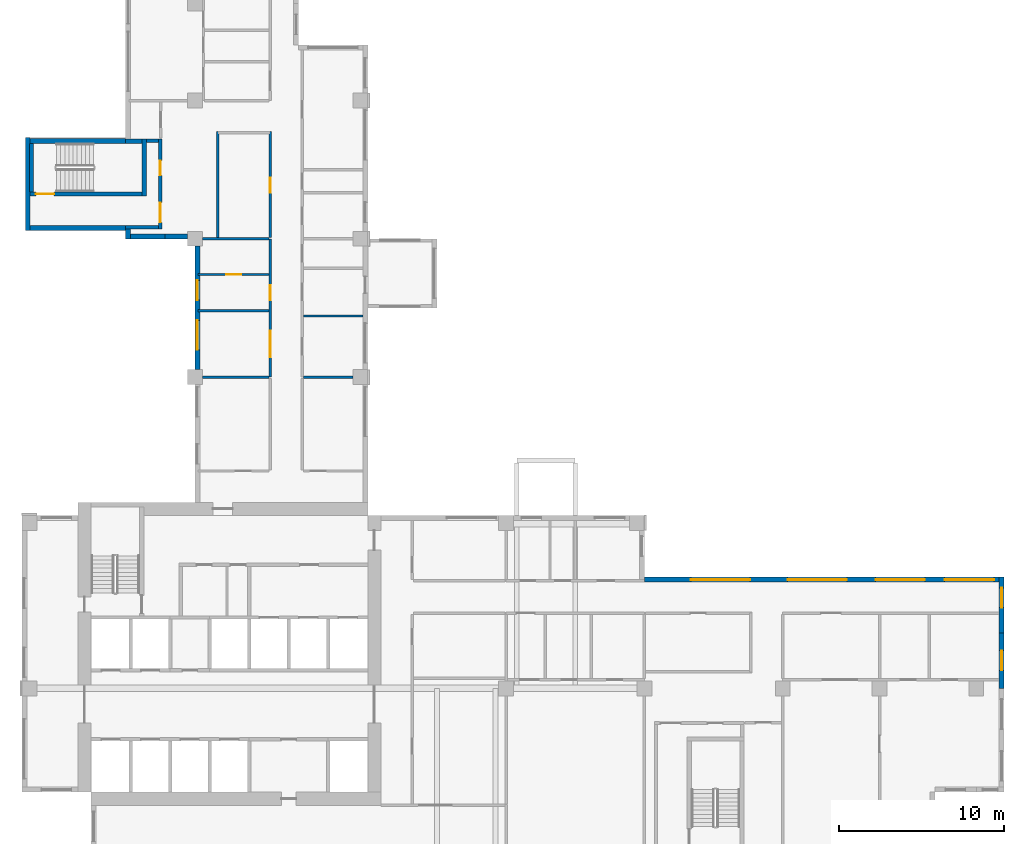
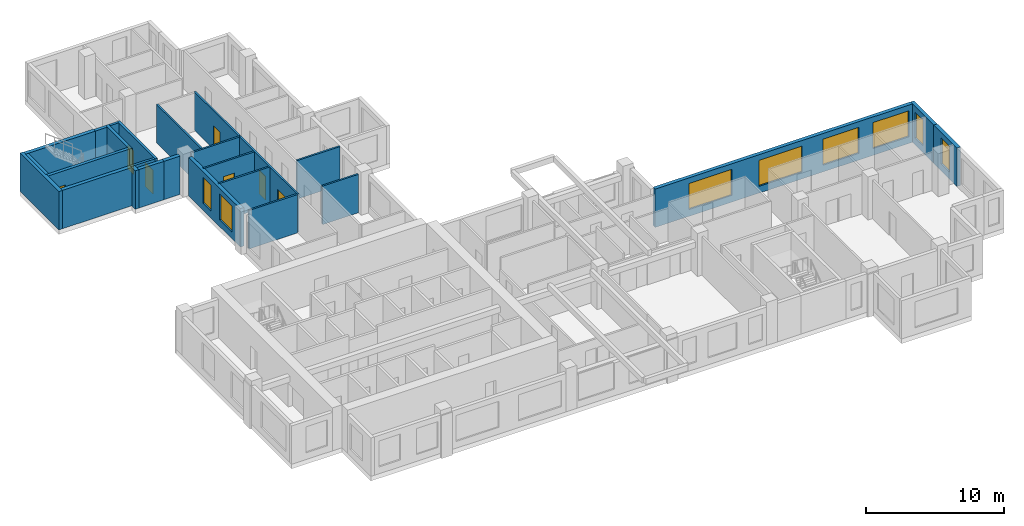
# One storey, part 6 of 12: 26 walls, 8 windows, 7 doors, 15 openings.
"""IFC4 building model written with IfcOpenShell, lengths in metres."""

from ifc_helpers import new_model, si_unit, direction, frame, frame_2d, origin, place, context, subcontext, project, spatial, rectangle, extrude, source, transform, mapped, material, layer, layer_set, type_object, element, fill, save


model = new_model("IFC4")

# Units and contexts
model_context = context("Model", 3, precision=1e-05, world=origin(), true_north=direction((0.0, 1.0)))
body_context = subcontext(model_context, "Body", "Model", "MODEL_VIEW")
ifc_project = project(units=[si_unit("LENGTHUNIT", "METRE"), si_unit("AREAUNIT", "SQUARE_METRE"), si_unit("VOLUMEUNIT", "CUBIC_METRE"), si_unit("PLANEANGLEUNIT", "RADIAN"), si_unit("MASSUNIT", "GRAM", prefix="KILO")], contexts=[model_context])

# Site, building, storey
site_placement = place(None, origin())
site = spatial("IfcSite", under=ifc_project, at=site_placement, CompositionType="ELEMENT")
building_placement = place(site_placement, origin())
building = spatial("IfcBuilding", under=site, at=building_placement, Name="Aurelian Terraces", CompositionType="ELEMENT")
storey_placement = place(building_placement, frame((0.0, 0.0, 189.2)))
storey = spatial("IfcBuildingStorey", under=building, at=storey_placement, Name="L41", CompositionType="ELEMENT", Elevation=189.2)

# Wall, openings, windows
ifc_material_1 = material(Name="Terracotta rainscreen cladding", Category="masonry")
ifc_layer_1 = layer(ifc_material_1, 0.3)
ifc_layer_set_1 = layer_set([ifc_layer_1], Name="EW-300")
wall_type_1 = type_object("IfcWallType", Name="EW-300", PredefinedType="STANDARD", material=ifc_layer_set_1)
shared_shape_1 = source(origin(), body_context, "Body", "SweptSolid", [
    extrude(rectangle(XDim=7.5, YDim=0.3, at=frame_2d((3.75, 0.0))), origin(), (0.0, 0.0, 1.0), 3.4),
])
wall_1_placement = place(storey_placement, frame((10.65, 37.35, 0.0), z_axis=(0.0, 0.0, 1.0), x_axis=(0.0, -1.0, 0.0)))
wall_1 = element("IfcWall", 1, at=wall_1_placement, inside=storey, type_object=wall_type_1, Name="External wall L41 F18.32", PredefinedType="STANDARD", context=body_context, shape_type="MappedRepresentation", body=[
    mapped(shared_shape_1, transform((0.0, 0.0, 0.0), scale=1.0)),
])
shared_shape_2 = source(origin(), body_context, "Body", "SweptSolid", [
    extrude(rectangle(XDim=1.8, YDim=2.3, at=frame_2d((0.9, 1.15))), frame((0.0, 0.16, 0.0), z_axis=(0.0, -1.0, 0.0), x_axis=(1.0, 0.0, 0.0)), (0.0, 0.0, 1.0), 0.32),
])
opening_1_placement = place(wall_1_placement, frame((4.5, 0.0, 0.6)))
opening_1 = element("IfcOpeningElement", 2, at=opening_1_placement, cuts=wall_1, Name="Opening W1823", PredefinedType="OPENING", context=body_context, shape_type="MappedRepresentation", body=[
    mapped(shared_shape_2, transform((0.0, 0.0, 0.0), scale=1.0)),
])
shared_shape_3 = source(origin(), body_context, "Body", "SweptSolid", [
    extrude(rectangle(XDim=1.2, YDim=2.3, at=frame_2d((0.6, 1.15))), frame((0.0, 0.16, 0.0), z_axis=(0.0, -1.0, 0.0), x_axis=(1.0, 0.0, 0.0)), (0.0, 0.0, 1.0), 0.32),
])
opening_2_placement = place(wall_1_placement, frame((2.071, 0.0, 0.6)))
opening_2 = element("IfcOpeningElement", 3, at=opening_2_placement, cuts=wall_1, Name="Opening W1223", PredefinedType="OPENING", context=body_context, shape_type="MappedRepresentation", body=[
    mapped(shared_shape_3, transform((0.0, 0.0, 0.0), scale=1.0)),
])
ifc_material_2 = material(Name="Clear glazing", Category="glass")
window_type_1 = type_object("IfcWindowType", Name="W-1200x2300", PartitioningType="SINGLE_PANEL", PredefinedType="WINDOW", material=ifc_material_2)
shared_shape_4 = source(origin(), body_context, "Body", "SweptSolid", [
    extrude(rectangle(XDim=1.2, YDim=2.3, at=frame_2d((0.6, 1.15))), frame((0.0, 0.03, 0.0), z_axis=(0.0, -1.0, 0.0), x_axis=(1.0, 0.0, 0.0)), (0.0, 0.0, 1.0), 0.06),
])
window_1_placement = place(opening_2_placement, origin())
window_1 = element("IfcWindow", 4, at=window_1_placement, inside=storey, type_object=window_type_1, Name="Window L41 L41-F18-32-G0-4", OverallHeight=2.3, OverallWidth=1.2, PartitioningType="SINGLE_PANEL", PredefinedType="WINDOW", context=body_context, shape_type="MappedRepresentation", body=[
    mapped(shared_shape_4, transform((0.0, 0.0, 0.0), scale=1.0)),
])
fill(opening_2, window_1)
window_type_2 = type_object("IfcWindowType", Name="W-1800x2300", PartitioningType="SINGLE_PANEL", PredefinedType="WINDOW", material=ifc_material_2)
shared_shape_5 = source(origin(), body_context, "Body", "SweptSolid", [
    extrude(rectangle(XDim=1.8, YDim=2.3, at=frame_2d((0.9, 1.15))), frame((0.0, 0.03, 0.0), z_axis=(0.0, -1.0, 0.0), x_axis=(1.0, 0.0, 0.0)), (0.0, 0.0, 1.0), 0.06),
])
window_2_placement = place(opening_1_placement, origin())
window_2 = element("IfcWindow", 5, at=window_2_placement, inside=storey, type_object=window_type_2, Name="Window L41 L41-F18-32-1", OverallHeight=2.3, OverallWidth=1.8, PartitioningType="SINGLE_PANEL", PredefinedType="WINDOW", context=body_context, shape_type="MappedRepresentation", body=[
    mapped(shared_shape_5, transform((0.0, 0.0, 0.0), scale=1.0)),
])
fill(opening_1, window_2)

# Walls
ifc_material_3 = material(Name="Concrete fc' 40 MPa", Category="concrete")
ifc_layer_2 = layer(ifc_material_3, 0.3)
ifc_layer_set_2 = layer_set([ifc_layer_2], Name="STAIR BAY WALL 300")
wall_type_2 = type_object("IfcWallType", Name="STAIR BAY WALL 300", PredefinedType="SOLIDWALL", material=ifc_layer_set_2)
shared_shape_6 = source(origin(), body_context, "Body", "SweptSolid", [
    extrude(rectangle(XDim=6.1, YDim=0.3, at=frame_2d((3.05, 0.0))), origin(), (0.0, 0.0, 1.0), 3.4),
])
for number, where, z_axis, x_axis, name in (
    (6, (6.3, 43.75, 0.0), (0.0, 0.0, 1.0), (-1.0, 0.0, 0.0), "Stair bay wall L41 F13.27"),
    (7, (0.2, 38.45, 0.0), (0.0, 0.0, 1.0), (1.0, 0.0, 0.0), "Stair bay wall L41 F15.29"),
):
    element("IfcWall", number, at=place(storey_placement, frame(where, z_axis=z_axis, x_axis=x_axis)), inside=storey, type_object=wall_type_2, Name=name, PredefinedType="SOLIDWALL", context=body_context, shape_type="MappedRepresentation", body=[
        mapped(shared_shape_6, transform((0.0, 0.0, 0.0), scale=1.0)),
    ])

# Wall, opening, window
shared_shape_7 = source(origin(), body_context, "Body", "SweptSolid", [
    extrude(rectangle(XDim=3.375, YDim=0.3, at=frame_2d((1.6875, 0.0))), origin(), (0.0, 0.0, 1.0), 3.4),
])
wall_2_placement = place(storey_placement, frame((59.49, 10.5, 0.0), z_axis=(0.0, 0.0, 1.0), x_axis=(0.0, 1.0, 0.0)))
wall_2 = element("IfcWall", 8, at=wall_2_placement, inside=storey, type_object=wall_type_1, Name="External wall L41 F04.12", PredefinedType="STANDARD", context=body_context, shape_type="MappedRepresentation", body=[
    mapped(shared_shape_7, transform((0.0, 0.0, 0.0), scale=1.0)),
])
opening_3_placement = place(wall_2_placement, frame((1.0875, 0.0, 0.6)))
opening_3 = element("IfcOpeningElement", 9, at=opening_3_placement, cuts=wall_2, Name="Opening W1223", PredefinedType="OPENING", context=body_context, shape_type="MappedRepresentation", body=[
    mapped(shared_shape_3, transform((0.0, 0.0, 0.0), scale=1.0)),
])
window_3_placement = place(opening_3_placement, origin())
window_3 = element("IfcWindow", 10, at=window_3_placement, inside=storey, type_object=window_type_1, Name="Window L41 L41-F04-12-0", OverallHeight=2.3, OverallWidth=1.2, PartitioningType="SINGLE_PANEL", PredefinedType="WINDOW", context=body_context, shape_type="MappedRepresentation", body=[
    mapped(shared_shape_4, transform((0.0, 0.0, 0.0), scale=1.0)),
])
fill(opening_3, window_3)

wall_3_placement = place(storey_placement, frame((59.49, 13.875, 0.0), z_axis=(0.0, 0.0, 1.0), x_axis=(0.0, 1.0, 0.0)))
wall_3 = element("IfcWall", 11, at=wall_3_placement, inside=storey, type_object=wall_type_1, Name="External wall L41 F04.13", PredefinedType="STANDARD", context=body_context, shape_type="MappedRepresentation", body=[
    mapped(shared_shape_7, transform((0.0, 0.0, 0.0), scale=1.0)),
])
opening_4_placement = place(wall_3_placement, frame((1.5312, 0.0, 0.6)))
opening_4 = element("IfcOpeningElement", 12, at=opening_4_placement, cuts=wall_3, Name="Opening W1223", PredefinedType="OPENING", context=body_context, shape_type="MappedRepresentation", body=[
    mapped(shared_shape_3, transform((0.0, 0.0, 0.0), scale=1.0)),
])
window_4_placement = place(opening_4_placement, origin())
window_4 = element("IfcWindow", 13, at=window_4_placement, inside=storey, type_object=window_type_1, Name="Window L41 L41-F04-13-P0", OverallHeight=2.3, OverallWidth=1.2, PartitioningType="SINGLE_PANEL", PredefinedType="WINDOW", context=body_context, shape_type="MappedRepresentation", body=[
    mapped(shared_shape_4, transform((0.0, 0.0, 0.0), scale=1.0)),
])
fill(opening_4, window_4)

# Wall, openings, windows
shared_shape_8 = source(origin(), body_context, "Body", "SweptSolid", [
    extrude(rectangle(XDim=21.84, YDim=0.3, at=frame_2d((10.92, 0.0))), origin(), (0.0, 0.0, 1.0), 3.4),
])
wall_4_placement = place(storey_placement, frame((59.64, 17.1, 0.0), z_axis=(0.0, 0.0, 1.0), x_axis=(-1.0, 0.0, 0.0)))
wall_4 = element("IfcWall", 14, at=wall_4_placement, inside=storey, type_object=wall_type_1, Name="External wall L41 F05.14", PredefinedType="STANDARD", context=body_context, shape_type="MappedRepresentation", body=[
    mapped(shared_shape_8, transform((0.0, 0.0, 0.0), scale=1.0)),
])
shared_shape_9 = source(origin(), body_context, "Body", "SweptSolid", [
    extrude(rectangle(XDim=3.0, YDim=2.3, at=frame_2d((1.5, 1.15))), frame((0.0, 0.16, 0.0), z_axis=(0.0, -1.0, 0.0), x_axis=(1.0, 0.0, 0.0)), (0.0, 0.0, 1.0), 0.32),
])
opening_5_placement = place(wall_4_placement, frame((0.6, 0.0, 0.6)))
opening_5 = element("IfcOpeningElement", 15, at=opening_5_placement, cuts=wall_4, Name="Opening W3023", PredefinedType="OPENING", context=body_context, shape_type="MappedRepresentation", body=[
    mapped(shared_shape_9, transform((0.0, 0.0, 0.0), scale=1.0)),
])
opening_6_placement = place(wall_4_placement, frame((4.8, 0.0, 0.6)))
opening_6 = element("IfcOpeningElement", 16, at=opening_6_placement, cuts=wall_4, Name="Opening W3023", PredefinedType="OPENING", context=body_context, shape_type="MappedRepresentation", body=[
    mapped(shared_shape_9, transform((0.0, 0.0, 0.0), scale=1.0)),
])
shared_shape_10 = source(origin(), body_context, "Body", "SweptSolid", [
    extrude(rectangle(XDim=3.6, YDim=2.3, at=frame_2d((1.8, 1.15))), frame((0.0, 0.16, 0.0), z_axis=(0.0, -1.0, 0.0), x_axis=(1.0, 0.0, 0.0)), (0.0, 0.0, 1.0), 0.32),
])
opening_7_placement = place(wall_4_placement, frame((9.54, 0.0, 0.6)))
opening_7 = element("IfcOpeningElement", 17, at=opening_7_placement, cuts=wall_4, Name="Opening W3623", PredefinedType="OPENING", context=body_context, shape_type="MappedRepresentation", body=[
    mapped(shared_shape_10, transform((0.0, 0.0, 0.0), scale=1.0)),
])
opening_8_placement = place(wall_4_placement, frame((15.42, 0.0, 0.6)))
opening_8 = element("IfcOpeningElement", 18, at=opening_8_placement, cuts=wall_4, Name="Opening W3623", PredefinedType="OPENING", context=body_context, shape_type="MappedRepresentation", body=[
    mapped(shared_shape_10, transform((0.0, 0.0, 0.0), scale=1.0)),
])
window_type_3 = type_object("IfcWindowType", Name="W-3600x2300", PartitioningType="SINGLE_PANEL", PredefinedType="WINDOW", material=ifc_material_2)
shared_shape_11 = source(origin(), body_context, "Body", "SweptSolid", [
    extrude(rectangle(XDim=3.6, YDim=2.3, at=frame_2d((1.8, 1.15))), frame((0.0, 0.03, 0.0), z_axis=(0.0, -1.0, 0.0), x_axis=(1.0, 0.0, 0.0)), (0.0, 0.0, 1.0), 0.06),
])
window_5_placement = place(opening_7_placement, origin())
window_5 = element("IfcWindow", 19, at=window_5_placement, inside=storey, type_object=window_type_3, Name="Window L41 L41-F05-14-2", OverallHeight=2.3, OverallWidth=3.6, PartitioningType="SINGLE_PANEL", PredefinedType="WINDOW", context=body_context, shape_type="MappedRepresentation", body=[
    mapped(shared_shape_11, transform((0.0, 0.0, 0.0), scale=1.0)),
])
fill(opening_7, window_5)
window_6_placement = place(opening_8_placement, origin())
window_6 = element("IfcWindow", 20, at=window_6_placement, inside=storey, type_object=window_type_3, Name="Window L41 L41-F05-14-3", OverallHeight=2.3, OverallWidth=3.6, PartitioningType="SINGLE_PANEL", PredefinedType="WINDOW", context=body_context, shape_type="MappedRepresentation", body=[
    mapped(shared_shape_11, transform((0.0, 0.0, 0.0), scale=1.0)),
])
fill(opening_8, window_6)
window_type_4 = type_object("IfcWindowType", Name="W-3000x2300", PartitioningType="SINGLE_PANEL", PredefinedType="WINDOW", material=ifc_material_2)
shared_shape_12 = source(origin(), body_context, "Body", "SweptSolid", [
    extrude(rectangle(XDim=3.0, YDim=2.3, at=frame_2d((1.5, 1.15))), frame((0.0, 0.03, 0.0), z_axis=(0.0, -1.0, 0.0), x_axis=(1.0, 0.0, 0.0)), (0.0, 0.0, 1.0), 0.06),
])
window_7_placement = place(opening_5_placement, origin())
window_7 = element("IfcWindow", 21, at=window_7_placement, inside=storey, type_object=window_type_4, Name="Window L41 L41-F05-14-0", OverallHeight=2.3, OverallWidth=3.0, PartitioningType="SINGLE_PANEL", PredefinedType="WINDOW", context=body_context, shape_type="MappedRepresentation", body=[
    mapped(shared_shape_12, transform((0.0, 0.0, 0.0), scale=1.0)),
])
fill(opening_5, window_7)
window_8_placement = place(opening_6_placement, origin())
window_8 = element("IfcWindow", 22, at=window_8_placement, inside=storey, type_object=window_type_4, Name="Window L41 L41-F05-14-1", OverallHeight=2.3, OverallWidth=3.0, PartitioningType="SINGLE_PANEL", PredefinedType="WINDOW", context=body_context, shape_type="MappedRepresentation", body=[
    mapped(shared_shape_12, transform((0.0, 0.0, 0.0), scale=1.0)),
])
fill(opening_6, window_8)

# Walls
shared_shape_13 = source(origin(), body_context, "Body", "SweptSolid", [
    extrude(rectangle(XDim=5.65, YDim=0.3, at=frame_2d((2.825, 0.0))), origin(), (0.0, 0.0, 1.0), 3.4),
])
wall_5_placement = place(storey_placement, frame((0.35, 43.95, 0.0), z_axis=(0.0, 0.0, 1.0), x_axis=(0.0, -1.0, 0.0)))
element("IfcWall", 23, at=wall_5_placement, inside=storey, type_object=wall_type_2, Name="Stair bay wall L41 F14.28", PredefinedType="SOLIDWALL", context=body_context, shape_type="MappedRepresentation", body=[
    mapped(shared_shape_13, transform((0.0, 0.0, 0.0), scale=1.0)),
])
shared_shape_14 = source(origin(), body_context, "Body", "SweptSolid", [
    extrude(rectangle(XDim=0.6, YDim=0.3, at=frame_2d((0.3, 0.0))), origin(), (0.0, 0.0, 1.0), 3.4),
])
wall_6_placement = place(storey_placement, frame((6.45, 38.4, 0.0), z_axis=(0.0, 0.0, 1.0), x_axis=(0.0, -1.0, 0.0)))
element("IfcWall", 24, at=wall_6_placement, inside=storey, type_object=wall_type_1, Name="External wall L41 F16.30", PredefinedType="STANDARD", context=body_context, shape_type="MappedRepresentation", body=[
    mapped(shared_shape_14, transform((0.0, 0.0, 0.0), scale=1.0)),
])
shared_shape_15 = source(origin(), body_context, "Body", "SweptSolid", [
    extrude(rectangle(XDim=2.1, YDim=0.3, at=frame_2d((1.05, 0.0))), origin(), (0.0, 0.0, 1.0), 3.4),
])
wall_7_placement = place(storey_placement, frame((6.6, 37.95, 0.0), z_axis=(0.0, 0.0, 1.0), x_axis=(1.0, 0.0, 0.0)))
element("IfcWall", 25, at=wall_7_placement, inside=storey, type_object=wall_type_2, Name="Stair bay wall L41 F17.31", PredefinedType="SOLIDWALL", context=body_context, shape_type="MappedRepresentation", body=[
    mapped(shared_shape_15, transform((0.0, 0.0, 0.0), scale=1.0)),
])
shared_shape_16 = source(origin(), body_context, "Body", "SweptSolid", [
    extrude(rectangle(XDim=1.35, YDim=0.3, at=frame_2d((0.675, 0.0))), origin(), (0.0, 0.0, 1.0), 3.4),
])
wall_8_placement = place(storey_placement, frame((8.7, 37.95, 0.0), z_axis=(0.0, 0.0, 1.0), x_axis=(1.0, 0.0, 0.0)))
element("IfcWall", 26, at=wall_8_placement, inside=storey, type_object=wall_type_1, Name="External wall L41 F17.31", PredefinedType="STANDARD", context=body_context, shape_type="MappedRepresentation", body=[
    mapped(shared_shape_16, transform((0.0, 0.0, 0.0), scale=1.0)),
])

# Wall, opening, door
ifc_layer_3 = layer(ifc_material_3, 0.25)
ifc_layer_set_3 = layer_set([ifc_layer_3], Name="Stair enclosure wall 250")
wall_type_3 = type_object("IfcWallType", Name="Stair enclosure wall 250", PredefinedType="SOLIDWALL", material=ifc_layer_set_3)
shared_shape_17 = source(origin(), body_context, "Body", "SweptSolid", [
    extrude(rectangle(XDim=7.0, YDim=0.25, at=frame_2d((3.5, 0.0))), origin(), (0.0, 0.0, 1.0), 3.4),
])
wall_9_placement = place(storey_placement, frame((0.3, 40.525, 0.0), z_axis=(0.0, 0.0, 1.0), x_axis=(1.0, 0.0, 0.0)))
wall_9 = element("IfcWall", 27, at=wall_9_placement, inside=storey, type_object=wall_type_3, Name="L41 core wall ST-S3-W", PredefinedType="SOLIDWALL", context=body_context, shape_type="MappedRepresentation", body=[
    mapped(shared_shape_17, transform((0.0, 0.0, 0.0), scale=1.0)),
])
shared_shape_18 = source(origin(), body_context, "Body", "SweptSolid", [
    extrude(rectangle(XDim=1.1, YDim=2.1, at=frame_2d((0.55, 1.05))), frame((0.0, 0.135, 0.0), z_axis=(0.0, -1.0, 0.0), x_axis=(1.0, 0.0, 0.0)), (0.0, 0.0, 1.0), 0.27),
])
opening_9_placement = place(wall_9_placement, frame((0.55, 0.0, 0.0)))
opening_9 = element("IfcOpeningElement", 28, at=opening_9_placement, cuts=wall_9, Name="Opening 64418", PredefinedType="OPENING", context=body_context, shape_type="MappedRepresentation", body=[
    mapped(shared_shape_18, transform((0.0, 0.0, 0.0), scale=1.0)),
])
ifc_material_4 = material(Name="Steel door leaf", Category="steel")
door_type_1 = type_object("IfcDoorType", Name="Core fire door 1100x2100", OperationType="SINGLE_SWING_LEFT", PredefinedType="DOOR", material=ifc_material_4)
shared_shape_19 = source(origin(), body_context, "Body", "SweptSolid", [
    extrude(rectangle(XDim=1.1, YDim=2.1, at=frame_2d((0.55, 1.05))), frame((0.0, 0.025, 0.0), z_axis=(0.0, -1.0, 0.0), x_axis=(1.0, 0.0, 0.0)), (0.0, 0.0, 1.0), 0.05),
])
door_1_placement = place(opening_9_placement, origin())
door_1 = element("IfcDoor", 29, at=door_1_placement, inside=storey, type_object=door_type_1, Name="Stair door 64418", OperationType="SINGLE_SWING_LEFT", OverallHeight=2.1, OverallWidth=1.1, PredefinedType="DOOR", context=body_context, shape_type="MappedRepresentation", body=[
    mapped(shared_shape_19, transform((0.0, 0.0, 0.0), scale=1.0)),
])
fill(opening_9, door_1)

# Walls
shared_shape_20 = source(origin(), body_context, "Body", "SweptSolid", [
    extrude(rectangle(XDim=3.45, YDim=0.25, at=frame_2d((1.725, 0.0))), origin(), (0.0, 0.0, 1.0), 3.4),
])
wall_10_placement = place(storey_placement, frame((7.425, 40.4, 0.0), z_axis=(0.0, 0.0, 1.0), x_axis=(0.0, 1.0, 0.0)))
element("IfcWall", 30, at=wall_10_placement, inside=storey, type_object=wall_type_3, Name="L41 core wall ST-S3-N", PredefinedType="SOLIDWALL", context=body_context, shape_type="MappedRepresentation", body=[
    mapped(shared_shape_20, transform((0.0, 0.0, 0.0), scale=1.0)),
])
shared_shape_21 = source(origin(), body_context, "Body", "SweptSolid", [
    extrude(rectangle(XDim=2.95, YDim=0.25, at=frame_2d((1.475, 0.0))), origin(), (0.0, 0.0, 1.0), 3.4),
])
wall_11_placement = place(storey_placement, frame((0.575, 40.65, 0.0), z_axis=(0.0, 0.0, 1.0), x_axis=(0.0, 1.0, 0.0)))
element("IfcWall", 31, at=wall_11_placement, inside=storey, type_object=wall_type_3, Name="L41 core wall ST-S3-SS", PredefinedType="SOLIDWALL", context=body_context, shape_type="MappedRepresentation", body=[
    mapped(shared_shape_21, transform((0.0, 0.0, 0.0), scale=1.0)),
])

# Wall, openings, doors
ifc_material_5 = material(Name="Gypsum board on steel studs", Category="steel")
ifc_layer_4 = layer(ifc_material_5, 0.2)
ifc_layer_set_4 = layer_set([ifc_layer_4], Name="Core partition 200")
wall_type_4 = type_object("IfcWallType", Name="Core partition 200", PredefinedType="PARTITIONING", material=ifc_layer_set_4)
shared_shape_22 = source(origin(), body_context, "Body", "SweptSolid", [
    extrude(rectangle(XDim=5.45, YDim=0.2, at=frame_2d((2.725, 0.0))), origin(), (0.0, 0.0, 1.0), 3.4),
])
wall_12_placement = place(storey_placement, frame((8.4, 38.4, 0.0), z_axis=(0.0, 0.0, 1.0), x_axis=(0.0, 1.0, 0.0)))
wall_12 = element("IfcWall", 32, at=wall_12_placement, inside=storey, type_object=wall_type_4, Name="L41 core wall ST-S3-BN", PredefinedType="PARTITIONING", context=body_context, shape_type="MappedRepresentation", body=[
    mapped(shared_shape_22, transform((0.0, 0.0, 0.0), scale=1.0)),
])
shared_shape_23 = source(origin(), body_context, "Body", "SweptSolid", [
    extrude(rectangle(XDim=1.2, YDim=2.1, at=frame_2d((0.6, 1.05))), frame((0.0, 0.11, 0.0), z_axis=(0.0, -1.0, 0.0), x_axis=(1.0, 0.0, 0.0)), (0.0, 0.0, 1.0), 0.22),
])
opening_10_placement = place(wall_12_placement, frame((0.4, 0.0, 0.0)))
opening_10 = element("IfcOpeningElement", 33, at=opening_10_placement, cuts=wall_12, Name="Opening 64419", PredefinedType="OPENING", context=body_context, shape_type="MappedRepresentation", body=[
    mapped(shared_shape_23, transform((0.0, 0.0, 0.0), scale=1.0)),
])
shared_shape_24 = source(origin(), body_context, "Body", "SweptSolid", [
    extrude(rectangle(XDim=0.9, YDim=2.1, at=frame_2d((0.45, 1.05))), frame((0.0, 0.11, 0.0), z_axis=(0.0, -1.0, 0.0), x_axis=(1.0, 0.0, 0.0)), (0.0, 0.0, 1.0), 0.22),
])
opening_11_placement = place(wall_12_placement, frame((3.25, 0.0, 0.0)))
opening_11 = element("IfcOpeningElement", 34, at=opening_11_placement, cuts=wall_12, Name="Opening 64420", PredefinedType="OPENING", context=body_context, shape_type="MappedRepresentation", body=[
    mapped(shared_shape_24, transform((0.0, 0.0, 0.0), scale=1.0)),
])
door_type_2 = type_object("IfcDoorType", Name="Core riser door 900x2100", OperationType="SINGLE_SWING_LEFT", PredefinedType="DOOR", material=ifc_material_4)
shared_shape_25 = source(origin(), body_context, "Body", "SweptSolid", [
    extrude(rectangle(XDim=0.9, YDim=2.1, at=frame_2d((0.45, 1.05))), frame((0.0, 0.025, 0.0), z_axis=(0.0, -1.0, 0.0), x_axis=(1.0, 0.0, 0.0)), (0.0, 0.0, 1.0), 0.05),
])
door_2_placement = place(opening_11_placement, origin())
door_2 = element("IfcDoor", 35, at=door_2_placement, inside=storey, type_object=door_type_2, Name="Riser door 64420", OperationType="SINGLE_SWING_LEFT", OverallHeight=2.1, OverallWidth=0.9, PredefinedType="DOOR", context=body_context, shape_type="MappedRepresentation", body=[
    mapped(shared_shape_25, transform((0.0, 0.0, 0.0), scale=1.0)),
])
fill(opening_11, door_2)
door_type_3 = type_object("IfcDoorType", Name="Core fire door 1200x2100 right", OperationType="SINGLE_SWING_RIGHT", PredefinedType="DOOR", material=ifc_material_4)
shared_shape_26 = source(origin(), body_context, "Body", "SweptSolid", [
    extrude(rectangle(XDim=1.2, YDim=2.1, at=frame_2d((0.6, 1.05))), frame((0.0, 0.025, 0.0), z_axis=(0.0, -1.0, 0.0), x_axis=(1.0, 0.0, 0.0)), (0.0, 0.0, 1.0), 0.05),
])
door_3_placement = place(opening_10_placement, origin())
door_3 = element("IfcDoor", 36, at=door_3_placement, inside=storey, type_object=door_type_3, Name="Vestibule door 64419", OperationType="SINGLE_SWING_RIGHT", OverallHeight=2.1, OverallWidth=1.2, PredefinedType="DOOR", context=body_context, shape_type="MappedRepresentation", body=[
    mapped(shared_shape_26, transform((0.0, 0.0, 0.0), scale=1.0)),
])
fill(opening_10, door_3)

# Walls
shared_shape_27 = source(origin(), body_context, "Body", "SweptSolid", [
    extrude(rectangle(XDim=0.75, YDim=0.2, at=frame_2d((0.375, 0.0))), origin(), (0.0, 0.0, 1.0), 3.4),
])
wall_13_placement = place(storey_placement, frame((7.55, 43.75, 0.0), z_axis=(0.0, 0.0, 1.0), x_axis=(1.0, 0.0, 0.0)))
element("IfcWall", 37, at=wall_13_placement, inside=storey, type_object=wall_type_4, Name="L41 core wall ST-S3-RE", PredefinedType="PARTITIONING", context=body_context, shape_type="MappedRepresentation", body=[
    mapped(shared_shape_27, transform((0.0, 0.0, 0.0), scale=1.0)),
])
shared_shape_28 = source(origin(), body_context, "Body", "SweptSolid", [
    extrude(rectangle(XDim=1.0, YDim=0.25, at=frame_2d((0.5, 0.0))), origin(), (0.0, 0.0, 1.0), 3.4),
])
wall_14_placement = place(storey_placement, frame((6.3, 43.725, 0.0), z_axis=(0.0, 0.0, 1.0), x_axis=(1.0, 0.0, 0.0)))
element("IfcWall", 38, at=wall_14_placement, inside=storey, type_object=wall_type_3, Name="L41 core wall ST-S3-E", PredefinedType="SOLIDWALL", context=body_context, shape_type="MappedRepresentation", body=[
    mapped(shared_shape_28, transform((0.0, 0.0, 0.0), scale=1.0)),
])
shared_shape_29 = source(origin(), body_context, "Body", "SweptSolid", [
    extrude(rectangle(XDim=2.0, YDim=0.2, at=frame_2d((1.0, 0.0))), origin(), (0.0, 0.0, 1.0), 3.4),
])
wall_15_placement = place(storey_placement, frame((6.3, 38.5, 0.0), z_axis=(0.0, 0.0, 1.0), x_axis=(1.0, 0.0, 0.0)))
element("IfcWall", 39, at=wall_15_placement, inside=storey, type_object=wall_type_4, Name="L41 core wall ST-S3-VW", PredefinedType="PARTITIONING", context=body_context, shape_type="MappedRepresentation", body=[
    mapped(shared_shape_29, transform((0.0, 0.0, 0.0), scale=1.0)),
])
ifc_layer_5 = layer(ifc_material_5, 0.15)
ifc_layer_set_5 = layer_set([ifc_layer_5], Name="Partition 150")
wall_type_5 = type_object("IfcWallType", Name="Partition 150", PredefinedType="PARTITIONING", material=ifc_layer_set_5)
shared_shape_30 = source(origin(), body_context, "Body", "SweptSolid", [
    extrude(rectangle(XDim=6.45, YDim=0.15, at=frame_2d((3.225, 0.0))), origin(), (0.0, 0.0, 1.0), 3.4),
])
wall_16_placement = place(storey_placement, frame((11.9, 44.325, 0.0), z_axis=(0.0, 0.0, 1.0), x_axis=(0.0, -1.0, 0.0)))
element("IfcWall", 40, at=wall_16_placement, inside=storey, type_object=wall_type_5, Name="Partition", PredefinedType="PARTITIONING", context=body_context, shape_type="MappedRepresentation", body=[
    mapped(shared_shape_30, transform((0.0, 0.0, 0.0), scale=1.0)),
])

# Wall, opening, door
ifc_layer_6 = layer(ifc_material_5, 0.15)
ifc_layer_set_6 = layer_set([ifc_layer_6], Name="Fire partition 150")
wall_type_6 = type_object("IfcWallType", Name="Fire partition 150", PredefinedType="PARTITIONING", material=ifc_layer_set_6)
wall_17_placement = place(storey_placement, frame((15.075, 37.875, 0.0), z_axis=(0.0, 0.0, 1.0), x_axis=(0.0, 1.0, 0.0)))
wall_17 = element("IfcWall", 41, at=wall_17_placement, inside=storey, type_object=wall_type_6, Name="Corridor wall", PredefinedType="PARTITIONING", context=body_context, shape_type="MappedRepresentation", body=[
    mapped(shared_shape_30, transform((0.0, 0.0, 0.0), scale=1.0)),
])
shared_shape_31 = source(origin(), body_context, "Body", "SweptSolid", [
    extrude(rectangle(XDim=0.9, YDim=2.1, at=frame_2d((0.45, 1.05))), frame((0.0, 0.085, 0.0), z_axis=(0.0, -1.0, 0.0), x_axis=(1.0, 0.0, 0.0)), (0.0, 0.0, 1.0), 0.17),
])
opening_12_placement = place(wall_17_placement, frame((2.7375, 0.0, 0.0)))
opening_12 = element("IfcOpeningElement", 42, at=opening_12_placement, cuts=wall_17, Name="Opening 741022", PredefinedType="OPENING", context=body_context, shape_type="MappedRepresentation", body=[
    mapped(shared_shape_31, transform((0.0, 0.0, 0.0), scale=1.0)),
])
ifc_material_6 = material(Name="Timber door leaf", Category="wood")
door_type_4 = type_object("IfcDoorType", Name="Room door 900x2100 right", OperationType="SINGLE_SWING_RIGHT", PredefinedType="DOOR", material=ifc_material_6)
door_4_placement = place(opening_12_placement, origin())
door_4 = element("IfcDoor", 43, at=door_4_placement, inside=storey, type_object=door_type_4, Name="Door 741022", OperationType="SINGLE_SWING_RIGHT", OverallHeight=2.1, OverallWidth=0.9, PredefinedType="DOOR", context=body_context, shape_type="MappedRepresentation", body=[
    mapped(shared_shape_25, transform((0.0, 0.0, 0.0), scale=1.0)),
])
fill(opening_12, door_4)

# Wall
shared_shape_32 = source(origin(), body_context, "Body", "SweptSolid", [
    extrude(rectangle(XDim=3.6, YDim=0.15, at=frame_2d((1.8, 0.0))), origin(), (0.0, 0.0, 1.0), 3.4),
])
wall_18_placement = place(storey_placement, frame((17.1, 33.1133, 0.0), z_axis=(0.0, 0.0, 1.0), x_axis=(1.0, 0.0, 0.0)))
element("IfcWall", 44, at=wall_18_placement, inside=storey, type_object=wall_type_5, Name="Partition", PredefinedType="PARTITIONING", context=body_context, shape_type="MappedRepresentation", body=[
    mapped(shared_shape_32, transform((0.0, 0.0, 0.0), scale=1.0)),
])

# Wall, openings, doors
shared_shape_33 = source(origin(), body_context, "Body", "SweptSolid", [
    extrude(rectangle(XDim=8.4, YDim=0.15, at=frame_2d((4.2, 0.0))), origin(), (0.0, 0.0, 1.0), 3.4),
])
wall_19_placement = place(storey_placement, frame((15.075, 29.4, 0.0), z_axis=(0.0, 0.0, 1.0), x_axis=(0.0, 1.0, 0.0)))
wall_19 = element("IfcWall", 45, at=wall_19_placement, inside=storey, type_object=wall_type_6, Name="Corridor wall", PredefinedType="PARTITIONING", context=body_context, shape_type="MappedRepresentation", body=[
    mapped(shared_shape_33, transform((0.0, 0.0, 0.0), scale=1.0)),
])
shared_shape_34 = source(origin(), body_context, "Body", "SweptSolid", [
    extrude(rectangle(XDim=1.6, YDim=2.1, at=frame_2d((0.8, 1.05))), frame((0.0, 0.085, 0.0), z_axis=(0.0, -1.0, 0.0), x_axis=(1.0, 0.0, 0.0)), (0.0, 0.0, 1.0), 0.17),
])
opening_13_placement = place(wall_19_placement, frame((1.2112, 0.0, 0.0)))
opening_13 = element("IfcOpeningElement", 46, at=opening_13_placement, cuts=wall_19, Name="Opening 741024", PredefinedType="OPENING", context=body_context, shape_type="MappedRepresentation", body=[
    mapped(shared_shape_34, transform((0.0, 0.0, 0.0), scale=1.0)),
])
opening_14_placement = place(wall_19_placement, frame((4.6776, 0.0, 0.0)))
opening_14 = element("IfcOpeningElement", 47, at=opening_14_placement, cuts=wall_19, Name="Opening 741025", PredefinedType="OPENING", context=body_context, shape_type="MappedRepresentation", body=[
    mapped(shared_shape_31, transform((0.0, 0.0, 0.0), scale=1.0)),
])
door_type_5 = type_object("IfcDoorType", Name="Entrance fire door 900x2100 left", OperationType="SINGLE_SWING_LEFT", PredefinedType="DOOR", material=ifc_material_4)
door_5_placement = place(opening_14_placement, origin())
door_5 = element("IfcDoor", 48, at=door_5_placement, inside=storey, type_object=door_type_5, Name="Door 741025", OperationType="SINGLE_SWING_LEFT", OverallHeight=2.1, OverallWidth=0.9, PredefinedType="DOOR", context=body_context, shape_type="MappedRepresentation", body=[
    mapped(shared_shape_25, transform((0.0, 0.0, 0.0), scale=1.0)),
])
fill(opening_14, door_5)
door_type_6 = type_object("IfcDoorType", Name="Entrance fire door 1600x2100 left", OperationType="SINGLE_SWING_LEFT", PredefinedType="DOOR", material=ifc_material_4)
shared_shape_35 = source(origin(), body_context, "Body", "SweptSolid", [
    extrude(rectangle(XDim=1.6, YDim=2.1, at=frame_2d((0.8, 1.05))), frame((0.0, 0.025, 0.0), z_axis=(0.0, -1.0, 0.0), x_axis=(1.0, 0.0, 0.0)), (0.0, 0.0, 1.0), 0.05),
])
door_6_placement = place(opening_13_placement, origin())
door_6 = element("IfcDoor", 49, at=door_6_placement, inside=storey, type_object=door_type_6, Name="Door 741024", OperationType="SINGLE_SWING_LEFT", OverallHeight=2.1, OverallWidth=1.6, PredefinedType="DOOR", context=body_context, shape_type="MappedRepresentation", body=[
    mapped(shared_shape_35, transform((0.0, 0.0, 0.0), scale=1.0)),
])
fill(opening_13, door_6)

# Walls
shared_shape_36 = source(origin(), body_context, "Body", "SweptSolid", [
    extrude(rectangle(XDim=4.051, YDim=0.15, at=frame_2d((2.0255, 0.0))), origin(), (0.0, 0.0, 1.0), 3.4),
])
wall_20_placement = place(storey_placement, frame((15.0, 29.4, 0.0), z_axis=(0.0, 0.0, 1.0), x_axis=(-1.0, 0.0, 0.0)))
element("IfcWall", 50, at=wall_20_placement, inside=storey, type_object=wall_type_5, Name="Partition", PredefinedType="PARTITIONING", context=body_context, shape_type="MappedRepresentation", body=[
    mapped(shared_shape_36, transform((0.0, 0.0, 0.0), scale=1.0)),
])
wall_21_placement = place(storey_placement, frame((15.0, 37.8, 0.0), z_axis=(0.0, 0.0, 1.0), x_axis=(-1.0, 0.0, 0.0)))
element("IfcWall", 51, at=wall_21_placement, inside=storey, type_object=wall_type_6, Name="Party wall", PredefinedType="PARTITIONING", context=body_context, shape_type="MappedRepresentation", body=[
    mapped(shared_shape_36, transform((0.0, 0.0, 0.0), scale=1.0)),
])
shared_shape_37 = source(origin(), body_context, "Body", "SweptSolid", [
    extrude(rectangle(XDim=3.001, YDim=0.15, at=frame_2d((1.5005, 0.0))), origin(), (0.0, 0.0, 1.0), 3.4),
])
wall_22_placement = place(storey_placement, frame((20.101, 29.4, 0.0), z_axis=(0.0, 0.0, 1.0), x_axis=(-1.0, 0.0, 0.0)))
element("IfcWall", 52, at=wall_22_placement, inside=storey, type_object=wall_type_5, Name="Partition", PredefinedType="PARTITIONING", context=body_context, shape_type="MappedRepresentation", body=[
    mapped(shared_shape_37, transform((0.0, 0.0, 0.0), scale=1.0)),
])
shared_shape_38 = source(origin(), body_context, "Body", "SweptSolid", [
    extrude(rectangle(XDim=4.295, YDim=0.15, at=frame_2d((2.1475, 0.0))), origin(), (0.0, 0.0, 1.0), 3.4),
])
wall_23_placement = place(storey_placement, frame((15.0, 33.4224, 0.0), z_axis=(0.0, 0.0, 1.0), x_axis=(-1.0, 0.0, 0.0)))
element("IfcWall", 53, at=wall_23_placement, inside=storey, type_object=wall_type_5, Name="Partition", PredefinedType="PARTITIONING", context=body_context, shape_type="MappedRepresentation", body=[
    mapped(shared_shape_38, transform((0.0, 0.0, 0.0), scale=1.0)),
])

# Wall, opening, door
wall_24_placement = place(storey_placement, frame((15.0, 35.6329, 0.0), z_axis=(0.0, 0.0, 1.0), x_axis=(-1.0, 0.0, 0.0)))
wall_24 = element("IfcWall", 54, at=wall_24_placement, inside=storey, type_object=wall_type_5, Name="Partition", PredefinedType="PARTITIONING", context=body_context, shape_type="MappedRepresentation", body=[
    mapped(shared_shape_38, transform((0.0, 0.0, 0.0), scale=1.0)),
])
opening_15_placement = place(wall_24_placement, frame((1.6975, 0.0, 0.0)))
opening_15 = element("IfcOpeningElement", 55, at=opening_15_placement, cuts=wall_24, Name="Opening 741037", PredefinedType="OPENING", context=body_context, shape_type="MappedRepresentation", body=[
    mapped(shared_shape_31, transform((0.0, 0.0, 0.0), scale=1.0)),
])
door_type_7 = type_object("IfcDoorType", Name="Room door 900x2100 left", OperationType="SINGLE_SWING_LEFT", PredefinedType="DOOR", material=ifc_material_6)
door_7_placement = place(opening_15_placement, origin())
door_7 = element("IfcDoor", 56, at=door_7_placement, inside=storey, type_object=door_type_7, Name="Door 741037", OperationType="SINGLE_SWING_LEFT", OverallHeight=2.1, OverallWidth=0.9, PredefinedType="DOOR", context=body_context, shape_type="MappedRepresentation", body=[
    mapped(shared_shape_25, transform((0.0, 0.0, 0.0), scale=1.0)),
])
fill(opening_15, door_7)

save(model, "model.ifc")
